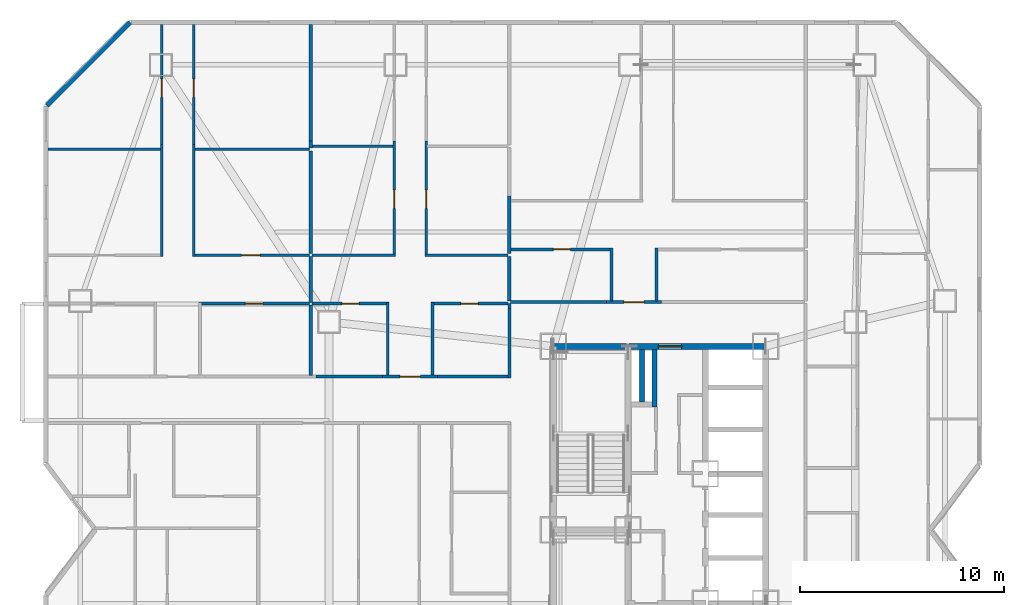
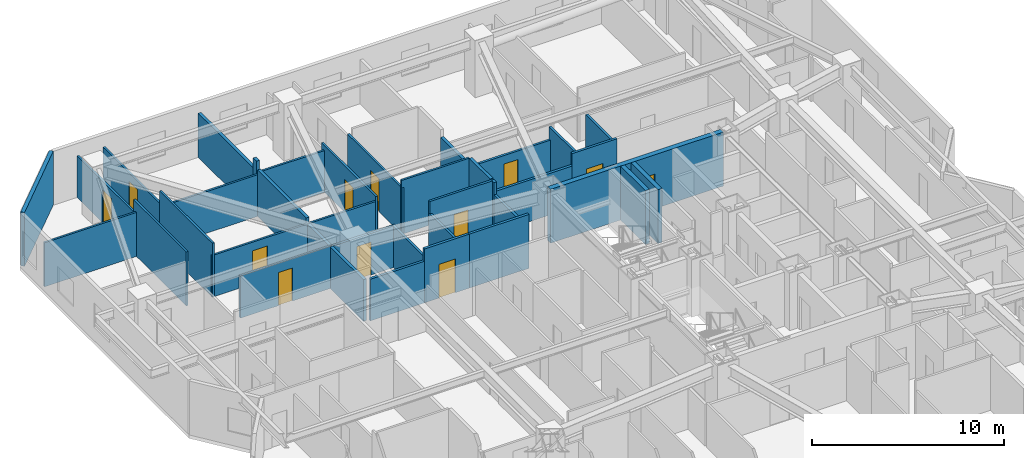
# One storey, part 12 of 17: 38 walls, 12 doors, 12 openings.
"""IFC4 building model written with IfcOpenShell, lengths in metres."""

from ifc_helpers import new_model, si_unit, direction, frame, frame_2d, origin, place, context, subcontext, project, spatial, rectangle, extrude, material, layer, layer_set, type_object, element, fill, save


model = new_model("IFC4")

# Units and contexts
model_context = context("Model", 3, precision=1e-05, world=origin(), true_north=direction((0.0, 1.0)))
body_context = subcontext(model_context, "Body", "Model", "MODEL_VIEW")
ifc_project = project(units=[si_unit("LENGTHUNIT", "METRE"), si_unit("AREAUNIT", "SQUARE_METRE"), si_unit("VOLUMEUNIT", "CUBIC_METRE"), si_unit("PLANEANGLEUNIT", "RADIAN"), si_unit("MASSUNIT", "GRAM", prefix="KILO")], contexts=[model_context])

# Site, building, storey
site_placement = place(None, origin())
site = spatial("IfcSite", under=ifc_project, at=site_placement, CompositionType="ELEMENT")
building_placement = place(site_placement, origin())
building = spatial("IfcBuilding", under=site, at=building_placement, Name="Khamvora Tower", CompositionType="ELEMENT")
storey_placement = place(building_placement, frame((0.0, 0.0, 73.449951171875)))
storey = spatial("IfcBuildingStorey", under=building, at=storey_placement, Name="L18", CompositionType="ELEMENT", Elevation=73.449951171875)

# Wall, opening, door
ifc_material_1 = material(Name="Concrete C50/60", Category="concrete")
ifc_layer_1 = layer(ifc_material_1, 0.300048828125)
ifc_layer_set_1 = layer_set([ifc_layer_1], Name="Concrete C50/60")
wall_type_1 = type_object("IfcWallType", Name="WAL-CORE-300", PredefinedType="SHEAR", material=ifc_layer_set_1)
wall_1_placement = place(storey_placement, frame((29.0, 37.0, 0.0), z_axis=(0.0, 0.0, 1.0), x_axis=(1.0, 0.0, 0.0)))
wall_1 = element("IfcWall", 1, at=wall_1_placement, inside=storey, type_object=wall_type_1, Name="L18 central core north wall", PredefinedType="SHEAR", context=body_context, shape_type="SweptSolid", body=[
    extrude(rectangle(XDim=10.39990234375, YDim=0.300048828125, at=frame_2d((5.199951171875, 0.0))), origin(), (0.0, 0.0, 1.0), 3.429931640625),
])
opening_1_placement = place(wall_1_placement, frame((5.139892578125, 0.0, 0.0)))
opening_1 = element("IfcOpeningElement", 2, at=opening_1_placement, cuts=wall_1, Name="Opening D-SC1", PredefinedType="OPENING", context=body_context, shape_type="SweptSolid", body=[
    extrude(rectangle(XDim=1.14990234375, YDim=2.199951171875, at=frame_2d((0.574951171875, 1.10009765625))), frame((0.0, 0.159912109375, 0.0), z_axis=(0.0, -1.0, 0.0), x_axis=(1.0, 0.0, 0.0)), (0.0, 0.0, 1.0), 0.320068359375),
])
ifc_material_2 = material(Name="Powder-Coated Steel and Hardwood Leaf", Category="steel")
door_type_1 = type_object("IfcDoorType", Name="DOR-SCHL-1150", OperationType="NOTDEFINED", PredefinedType="DOOR", material=ifc_material_2)
door_1_placement = place(opening_1_placement, origin())
door_1 = element("IfcDoor", 3, at=door_1_placement, inside=storey, type_object=door_type_1, Name="L18 north core lobby to corridor fire door", OperationType="SINGLE_SWING_LEFT", OverallHeight=2.199951171875, OverallWidth=1.14990234375, PredefinedType="DOOR", context=body_context, shape_type="SweptSolid", body=[
    extrude(rectangle(XDim=1.14990234375, YDim=2.199951171875, at=frame_2d((0.574951171875, 1.10009765625))), frame((0.0, 0.02490234375, 0.0), z_axis=(0.0, -1.0, 0.0), x_axis=(1.0, 0.0, 0.0)), (0.0, 0.0, 1.0), 0.050048828125),
])
fill(opening_1, door_1)

# Wall
ifc_material_3 = material(Name="Fire-Rated Drywall and Steel Stud", Category="steel")
ifc_layer_2 = layer(ifc_material_3, 0.14990234375)
ifc_layer_set_2 = layer_set([ifc_layer_2], Name="Fire-Rated Drywall and Steel Stud")
wall_type_2 = type_object("IfcWallType", Name="WAL-CORR-150", PredefinedType="STANDARD", material=ifc_layer_set_2)
wall_2_placement = place(storey_placement, frame((26.8349609375, 38.845947265625, 0.0), z_axis=(0.0, 0.0, 1.0), x_axis=(0.0, 1.0, 0.0)))
element("IfcWall", 4, at=wall_2_placement, inside=storey, type_object=wall_type_2, Name="L18 interior partition wall 024", PredefinedType="STANDARD", context=body_context, shape_type="SweptSolid", body=[
    extrude(rectangle(XDim=0.254150390625, YDim=0.14990234375, at=frame_2d((0.126953125, 0.0))), origin(), (0.0, 0.0, 1.0), 3.429931640625),
])

# Wall, opening, door
wall_3_placement = place(storey_placement, frame((20.62109375, 35.514892578125, 0.0), z_axis=(0.0, 0.0, 1.0), x_axis=(1.0, 0.0, 0.0)))
wall_3 = element("IfcWall", 5, at=wall_3_placement, inside=storey, type_object=wall_type_2, Name="L18 interior partition wall 025", PredefinedType="STANDARD", context=body_context, shape_type="SweptSolid", body=[
    extrude(rectangle(XDim=2.697998046875, YDim=0.14990234375, at=frame_2d((1.34912109375, 0.0))), origin(), (0.0, 0.0, 1.0), 3.429931640625),
])
opening_2_placement = place(wall_3_placement, frame((0.84912109375, 0.0, 0.0)))
opening_2 = element("IfcOpeningElement", 6, at=opening_2_placement, cuts=wall_3, Name="Opening D-U1", PredefinedType="OPENING", context=body_context, shape_type="SweptSolid", body=[
    extrude(rectangle(XDim=1.0, YDim=2.14990234375, at=frame_2d((0.5, 1.074951171875))), frame((0.0, 0.0849609375, 0.0), z_axis=(0.0, -1.0, 0.0), x_axis=(1.0, 0.0, 0.0)), (0.0, 0.0, 1.0), 0.169921875),
])
door_type_2 = type_object("IfcDoorType", Name="DOR-UNIT-1000", OperationType="NOTDEFINED", PredefinedType="DOOR", material=ifc_material_2)
door_2_placement = place(opening_2_placement, origin())
door_2 = element("IfcDoor", 7, at=door_2_placement, inside=storey, type_object=door_type_2, Name="L18 interior door COR-18WCH", OperationType="SINGLE_SWING_RIGHT", OverallHeight=2.14990234375, OverallWidth=1.0, PredefinedType="DOOR", context=body_context, shape_type="SweptSolid", body=[
    extrude(rectangle(XDim=1.0, YDim=2.14990234375, at=frame_2d((0.5, 1.074951171875))), frame((0.0, 0.02490234375, 0.0), z_axis=(0.0, -1.0, 0.0), x_axis=(1.0, 0.0, 0.0)), (0.0, 0.0, 1.0), 0.050048828125),
])
fill(opening_2, door_2)

# Walls
wall_4_placement = place(storey_placement, frame((17.35400390625, 35.514892578125, 0.0), z_axis=(0.0, 0.0, 1.0), x_axis=(1.0, 0.0, 0.0)))
element("IfcWall", 8, at=wall_4_placement, inside=storey, type_object=wall_type_2, Name="L18 interior partition wall 026", PredefinedType="STANDARD", context=body_context, shape_type="SweptSolid", body=[
    extrude(rectangle(XDim=3.26708984375, YDim=0.14990234375, at=frame_2d((1.633544921875, 0.0))), origin(), (0.0, 0.0, 1.0), 2.64697265625),
])
wall_5_placement = place(storey_placement, frame((26.8349609375, 35.449951171875, 0.0), z_axis=(0.0, 0.0, 1.0), x_axis=(0.0, 1.0, 0.0)))
element("IfcWall", 9, at=wall_5_placement, inside=storey, type_object=wall_type_2, Name="L18 interior partition wall 027", PredefinedType="STANDARD", context=body_context, shape_type="SweptSolid", body=[
    extrude(rectangle(XDim=3.39599609375, YDim=0.14990234375, at=frame_2d((1.697998046875, 0.0))), origin(), (0.0, 0.0, 1.0), 2.64697265625),
])
wall_6_placement = place(storey_placement, frame((23.319091796875, 35.514892578125, 0.0), z_axis=(0.0, 0.0, 1.0), x_axis=(1.0, 0.0, 0.0)))
element("IfcWall", 10, at=wall_6_placement, inside=storey, type_object=wall_type_2, Name="L18 interior partition wall 028", PredefinedType="STANDARD", context=body_context, shape_type="SweptSolid", body=[
    extrude(rectangle(XDim=3.578857421875, YDim=0.14990234375, at=frame_2d((1.78955078125, 0.0))), origin(), (0.0, 0.0, 1.0), 3.429931640625),
])

# Wall, opening, door
wall_7_placement = place(storey_placement, frame((31.60107421875, 39.1650390625, 0.0), z_axis=(0.0, 0.0, 1.0), x_axis=(1.0, 0.0, 0.0)))
wall_7 = element("IfcWall", 11, at=wall_7_placement, inside=storey, type_object=wall_type_2, Name="L18 interior partition wall 032", PredefinedType="STANDARD", context=body_context, shape_type="SweptSolid", body=[
    extrude(rectangle(XDim=2.697998046875, YDim=0.14990234375, at=frame_2d((1.34912109375, 0.0))), origin(), (0.0, 0.0, 1.0), 3.429931640625),
])
opening_3_placement = place(wall_7_placement, frame((0.84912109375, 0.0, 0.0)))
opening_3 = element("IfcOpeningElement", 12, at=opening_3_placement, cuts=wall_7, Name="Opening D-U1", PredefinedType="OPENING", context=body_context, shape_type="SweptSolid", body=[
    extrude(rectangle(XDim=1.0, YDim=2.14990234375, at=frame_2d((0.5, 1.074951171875))), frame((0.0, 0.0849609375, 0.0), z_axis=(0.0, -1.0, 0.0), x_axis=(1.0, 0.0, 0.0)), (0.0, 0.0, 1.0), 0.169921875),
])
door_3_placement = place(opening_3_placement, origin())
door_3 = element("IfcDoor", 13, at=door_3_placement, inside=storey, type_object=door_type_2, Name="L18 interior door COR-18NAH", OperationType="SINGLE_SWING_RIGHT", OverallHeight=2.14990234375, OverallWidth=1.0, PredefinedType="DOOR", context=body_context, shape_type="SweptSolid", body=[
    extrude(rectangle(XDim=1.0, YDim=2.14990234375, at=frame_2d((0.5, 1.074951171875))), frame((0.0, 0.02490234375, 0.0), z_axis=(0.0, -1.0, 0.0), x_axis=(1.0, 0.0, 0.0)), (0.0, 0.0, 1.0), 0.050048828125),
])
fill(opening_3, door_3)

# Walls
wall_8_placement = place(storey_placement, frame((26.89990234375, 39.1650390625, 0.0), z_axis=(0.0, 0.0, 1.0), x_axis=(1.0, 0.0, 0.0)))
element("IfcWall", 14, at=wall_8_placement, inside=storey, type_object=wall_type_2, Name="L18 interior partition wall 033", PredefinedType="STANDARD", context=body_context, shape_type="SweptSolid", body=[
    extrude(rectangle(XDim=4.701171875, YDim=0.14990234375, at=frame_2d((2.3505859375, 0.0))), origin(), (0.0, 0.0, 1.0), 2.64697265625),
])
ifc_material_4 = material(Name="Acoustic Double-Stud Fire Wall", Category="gypsum")
ifc_layer_3 = layer(ifc_material_4, 0.179931640625)
ifc_layer_set_3 = layer_set([ifc_layer_3], Name="Acoustic Double-Stud Fire Wall")
wall_type_3 = type_object("IfcWallType", Name="WAL-CORR-180", PredefinedType="STANDARD", material=ifc_layer_set_3)
wall_9_placement = place(storey_placement, frame((17.10498046875, 41.409912109375, 0.0), z_axis=(0.0, 0.0, 1.0), x_axis=(0.0, -1.0, 0.0)))
element("IfcWall", 15, at=wall_9_placement, inside=storey, type_object=wall_type_3, Name="L18 interior partition wall 104", PredefinedType="STANDARD", context=body_context, shape_type="SweptSolid", body=[
    extrude(rectangle(XDim=2.25, YDim=0.179931640625, at=frame_2d((1.125, 0.0))), origin(), (0.0, 0.0, 1.0), 2.64697265625),
])
wall_10_placement = place(storey_placement, frame((17.10498046875, 39.030029296875, 0.0), z_axis=(0.0, 0.0, 1.0), x_axis=(0.0, -1.0, 0.0)))
element("IfcWall", 16, at=wall_10_placement, inside=storey, type_object=wall_type_3, Name="L18 interior partition wall 105", PredefinedType="STANDARD", context=body_context, shape_type="SweptSolid", body=[
    extrude(rectangle(XDim=3.447998046875, YDim=0.179931640625, at=frame_2d((1.72412109375, 0.0))), origin(), (0.0, 0.0, 1.0), 2.64697265625),
])
wall_11_placement = place(storey_placement, frame((17.10498046875, 46.587890625, 0.0), z_axis=(0.0, 0.0, 1.0), x_axis=(0.0, -1.0, 0.0)))
element("IfcWall", 17, at=wall_11_placement, inside=storey, type_object=wall_type_3, Name="L18 interior partition wall 108", PredefinedType="STANDARD", context=body_context, shape_type="SweptSolid", body=[
    extrude(rectangle(XDim=5.0478515625, YDim=0.179931640625, at=frame_2d((2.52392578125, 0.0))), origin(), (0.0, 0.0, 1.0), 2.95703125),
])
wall_12_placement = place(storey_placement, frame((17.10498046875, 47.06103515625, 0.0), z_axis=(0.0, 0.0, 1.0), x_axis=(0.0, -1.0, 0.0)))
element("IfcWall", 18, at=wall_12_placement, inside=storey, type_object=wall_type_3, Name="L18 interior partition wall 109", PredefinedType="STANDARD", context=body_context, shape_type="SweptSolid", body=[
    extrude(rectangle(XDim=0.343017578125, YDim=0.179931640625, at=frame_2d((0.17138671875, 0.0))), origin(), (0.0, 0.0, 1.0), 3.429931640625),
])
wall_13_placement = place(storey_placement, frame((17.10498046875, 52.7880859375, 0.0), z_axis=(0.0, 0.0, 1.0), x_axis=(0.0, -1.0, 0.0)))
element("IfcWall", 19, at=wall_13_placement, inside=storey, type_object=wall_type_3, Name="L18 interior partition wall 110", PredefinedType="STANDARD", context=body_context, shape_type="SweptSolid", body=[
    extrude(rectangle(XDim=5.72705078125, YDim=0.179931640625, at=frame_2d((2.863525390625, 0.0))), origin(), (0.0, 0.0, 1.0), 2.802978515625),
])
wall_14_placement = place(storey_placement, frame((26.8349609375, 41.409912109375, 0.0), z_axis=(0.0, 0.0, 1.0), x_axis=(0.0, -1.0, 0.0)))
element("IfcWall", 20, at=wall_14_placement, inside=storey, type_object=wall_type_3, Name="L18 interior partition wall 121", PredefinedType="STANDARD", context=body_context, shape_type="SweptSolid", body=[
    extrude(rectangle(XDim=2.179931640625, YDim=0.179931640625, at=frame_2d((1.08984375, 0.0))), origin(), (0.0, 0.0, 1.0), 3.429931640625),
])
wall_15_placement = place(storey_placement, frame((26.8349609375, 44.383056640625, 0.0), z_axis=(0.0, 0.0, 1.0), x_axis=(0.0, -1.0, 0.0)))
element("IfcWall", 21, at=wall_15_placement, inside=storey, type_object=wall_type_3, Name="L18 interior partition wall 124", PredefinedType="STANDARD", context=body_context, shape_type="SweptSolid", body=[
    extrude(rectangle(XDim=2.843017578125, YDim=0.179931640625, at=frame_2d((1.42138671875, 0.0))), origin(), (0.0, 0.0, 1.0), 2.95703125),
])
ifc_material_5 = material(Name="Precast concrete C40/50", Category="concrete")
ifc_layer_4 = layer(ifc_material_5, 0.219970703125)
ifc_layer_set_4 = layer_set([ifc_layer_4], Name="Precast concrete C40/50")
wall_type_4 = type_object("IfcWallType", Name="WAL-EXT-220", PredefinedType="STANDARD", material=ifc_layer_set_4)
wall_16_placement = place(storey_placement, frame((4.157958984375, 48.802001953125, 0.0), z_axis=(0.0, 0.0, 1.0), x_axis=(0.70712789547, 0.707085666273, 0.0)))
element("IfcWall", 22, at=wall_16_placement, inside=storey, type_object=wall_type_4, Name="L18 exterior facade wall 06.1", PredefinedType="STANDARD", context=body_context, shape_type="SweptSolid", body=[
    extrude(rectangle(XDim=5.78125, YDim=0.219970703125, at=frame_2d((2.890625, 0.0))), origin(), (0.0, 0.0, 1.0), 3.429931640625),
])
ifc_material_6 = material(Name="Gypsum Plasterboard Partition", Category="gypsum")
ifc_layer_5 = layer(ifc_material_6, 0.1201171875)
ifc_layer_set_5 = layer_set([ifc_layer_5], Name="Gypsum Plasterboard Partition")
wall_type_5 = type_object("IfcWallType", Name="WAL-PART-120", PredefinedType="PARTITIONING", material=ifc_layer_set_5)
wall_17_placement = place(storey_placement, frame((9.7900390625, 41.409912109375, 0.0), z_axis=(0.0, 0.0, 1.0), x_axis=(0.0, 1.0, 0.0)))
element("IfcWall", 23, at=wall_17_placement, inside=storey, type_object=wall_type_5, Name="L18 interior partition wall 099", PredefinedType="PARTITIONING", context=body_context, shape_type="SweptSolid", body=[
    extrude(rectangle(XDim=5.4921875, YDim=0.1201171875, at=frame_2d((2.74609375, 0.0))), origin(), (0.0, 0.0, 1.0), 3.429931640625),
])

# Wall, opening, door
wall_18_placement = place(storey_placement, frame((9.7900390625, 46.902099609375, 0.0), z_axis=(0.0, 0.0, 1.0), x_axis=(0.0, 1.0, 0.0)))
wall_18 = element("IfcWall", 24, at=wall_18_placement, inside=storey, type_object=wall_type_5, Name="L18 interior partition wall 100", PredefinedType="PARTITIONING", context=body_context, shape_type="SweptSolid", body=[
    extrude(rectangle(XDim=5.885986328125, YDim=0.1201171875, at=frame_2d((2.94287109375, 0.0))), origin(), (0.0, 0.0, 1.0), 2.64697265625),
])
opening_4_placement = place(wall_18_placement, frame((2.305908203125, 0.0, 0.0)))
opening_4 = element("IfcOpeningElement", 25, at=opening_4_placement, cuts=wall_18, Name="Opening D-RM1", PredefinedType="OPENING", context=body_context, shape_type="SweptSolid", body=[
    extrude(rectangle(XDim=0.89990234375, YDim=2.10009765625, at=frame_2d((0.449951171875, 1.050048828125))), frame((0.0, 0.070068359375, 0.0), z_axis=(0.0, -1.0, 0.0), x_axis=(1.0, 0.0, 0.0)), (0.0, 0.0, 1.0), 0.14013671875),
])
door_type_3 = type_object("IfcDoorType", Name="DOR-ROOM-900", OperationType="NOTDEFINED", PredefinedType="DOOR", material=ifc_material_2)
door_4_placement = place(opening_4_placement, origin())
door_4 = element("IfcDoor", 26, at=door_4_placement, inside=storey, type_object=door_type_3, Name="L18 interior door 18WBH-18WBR2", OperationType="SINGLE_SWING_LEFT", OverallHeight=2.10009765625, OverallWidth=0.89990234375, PredefinedType="DOOR", context=body_context, shape_type="SweptSolid", body=[
    extrude(rectangle(XDim=0.89990234375, YDim=2.10009765625, at=frame_2d((0.449951171875, 1.050048828125))), frame((0.0, 0.02490234375, 0.0), z_axis=(0.0, -1.0, 0.0), x_axis=(1.0, 0.0, 0.0)), (0.0, 0.0, 1.0), 0.050048828125),
])
fill(opening_4, door_4)

# Wall
wall_19_placement = place(storey_placement, frame((11.360107421875, 46.902099609375, 0.0), z_axis=(0.0, 0.0, 1.0), x_axis=(0.0, -1.0, 0.0)))
element("IfcWall", 27, at=wall_19_placement, inside=storey, type_object=wall_type_5, Name="L18 interior partition wall 101", PredefinedType="PARTITIONING", context=body_context, shape_type="SweptSolid", body=[
    extrude(rectangle(XDim=5.4921875, YDim=0.1201171875, at=frame_2d((2.74609375, 0.0))), origin(), (0.0, 0.0, 1.0), 3.429931640625),
])

# Wall, opening, door
wall_20_placement = place(storey_placement, frame((11.294921875, 41.47509765625, 0.0), z_axis=(0.0, 0.0, 1.0), x_axis=(1.0, 0.0, 0.0)))
wall_20 = element("IfcWall", 28, at=wall_20_placement, inside=storey, type_object=wall_type_5, Name="L18 interior partition wall 102", PredefinedType="PARTITIONING", context=body_context, shape_type="SweptSolid", body=[
    extrude(rectangle(XDim=5.7451171875, YDim=0.1201171875, at=frame_2d((2.87255859375, 0.0))), origin(), (0.0, 0.0, 1.0), 2.64697265625),
])
opening_5_placement = place(wall_20_placement, frame((2.422119140625, 0.0, 0.0)))
opening_5 = element("IfcOpeningElement", 29, at=opening_5_placement, cuts=wall_20, Name="Opening D-RM1", PredefinedType="OPENING", context=body_context, shape_type="SweptSolid", body=[
    extrude(rectangle(XDim=0.89990234375, YDim=2.10009765625, at=frame_2d((0.449951171875, 1.050048828125))), frame((0.0, 0.070068359375, 0.0), z_axis=(0.0, -1.0, 0.0), x_axis=(1.0, 0.0, 0.0)), (0.0, 0.0, 1.0), 0.14013671875),
])
door_5_placement = place(opening_5_placement, origin())
door_5 = element("IfcDoor", 30, at=door_5_placement, inside=storey, type_object=door_type_3, Name="L18 interior door 18WBH-18WBR3", OperationType="SINGLE_SWING_RIGHT", OverallHeight=2.10009765625, OverallWidth=0.89990234375, PredefinedType="DOOR", context=body_context, shape_type="SweptSolid", body=[
    extrude(rectangle(XDim=0.89990234375, YDim=2.10009765625, at=frame_2d((0.449951171875, 1.050048828125))), frame((0.0, 0.02490234375, 0.0), z_axis=(0.0, -1.0, 0.0), x_axis=(1.0, 0.0, 0.0)), (0.0, 0.0, 1.0), 0.050048828125),
])
fill(opening_5, door_5)

wall_21_placement = place(storey_placement, frame((11.360107421875, 52.7880859375, 0.0), z_axis=(0.0, 0.0, 1.0), x_axis=(0.0, -1.0, 0.0)))
wall_21 = element("IfcWall", 31, at=wall_21_placement, inside=storey, type_object=wall_type_5, Name="L18 interior partition wall 103", PredefinedType="PARTITIONING", context=body_context, shape_type="SweptSolid", body=[
    extrude(rectangle(XDim=5.885986328125, YDim=0.1201171875, at=frame_2d((2.94287109375, 0.0))), origin(), (0.0, 0.0, 1.0), 2.64697265625),
])
opening_6_placement = place(wall_21_placement, frame((2.679931640625, 0.0, 0.0)))
opening_6 = element("IfcOpeningElement", 32, at=opening_6_placement, cuts=wall_21, Name="Opening D-RM1", PredefinedType="OPENING", context=body_context, shape_type="SweptSolid", body=[
    extrude(rectangle(XDim=0.89990234375, YDim=2.10009765625, at=frame_2d((0.449951171875, 1.050048828125))), frame((0.0, 0.070068359375, 0.0), z_axis=(0.0, -1.0, 0.0), x_axis=(1.0, 0.0, 0.0)), (0.0, 0.0, 1.0), 0.14013671875),
])
door_6_placement = place(opening_6_placement, origin())
door_6 = element("IfcDoor", 33, at=door_6_placement, inside=storey, type_object=door_type_3, Name="L18 interior door 18WBH-18WBR4", OperationType="SINGLE_SWING_LEFT", OverallHeight=2.10009765625, OverallWidth=0.89990234375, PredefinedType="DOOR", context=body_context, shape_type="SweptSolid", body=[
    extrude(rectangle(XDim=0.89990234375, YDim=2.10009765625, at=frame_2d((0.449951171875, 1.050048828125))), frame((0.0, 0.02490234375, 0.0), z_axis=(0.0, -1.0, 0.0), x_axis=(1.0, 0.0, 0.0)), (0.0, 0.0, 1.0), 0.050048828125),
])
fill(opening_6, door_6)

# Walls
wall_22_placement = place(storey_placement, frame((4.2119140625, 46.653076171875, 0.0), z_axis=(0.0, 0.0, 1.0), x_axis=(1.0, 0.0, 0.0)))
element("IfcWall", 34, at=wall_22_placement, inside=storey, type_object=wall_type_5, Name="L18 interior partition wall 106", PredefinedType="PARTITIONING", context=body_context, shape_type="SweptSolid", body=[
    extrude(rectangle(XDim=5.524169921875, YDim=0.1201171875, at=frame_2d((2.76220703125, 0.0))), origin(), (0.0, 0.0, 1.0), 2.802978515625),
])
wall_23_placement = place(storey_placement, frame((11.4140625, 46.653076171875, 0.0), z_axis=(0.0, 0.0, 1.0), x_axis=(1.0, 0.0, 0.0)))
element("IfcWall", 35, at=wall_23_placement, inside=storey, type_object=wall_type_5, Name="L18 interior partition wall 107", PredefinedType="PARTITIONING", context=body_context, shape_type="SweptSolid", body=[
    extrude(rectangle(XDim=5.6259765625, YDim=0.1201171875, at=frame_2d((2.81298828125, 0.0))), origin(), (0.0, 0.0, 1.0), 2.64697265625),
])
wall_24_placement = place(storey_placement, frame((17.169921875, 41.47509765625, 0.0), z_axis=(0.0, 0.0, 1.0), x_axis=(1.0, 0.0, 0.0)))
element("IfcWall", 36, at=wall_24_placement, inside=storey, type_object=wall_type_5, Name="L18 interior partition wall 115", PredefinedType="PARTITIONING", context=body_context, shape_type="SweptSolid", body=[
    extrude(rectangle(XDim=4.080078125, YDim=0.1201171875, at=frame_2d((2.0400390625, 0.0))), origin(), (0.0, 0.0, 1.0), 2.64697265625),
])

# Wall, opening, door
wall_25_placement = place(storey_placement, frame((21.18505859375, 41.409912109375, 0.0), z_axis=(0.0, 0.0, 1.0), x_axis=(0.0, 1.0, 0.0)))
wall_25 = element("IfcWall", 37, at=wall_25_placement, inside=storey, type_object=wall_type_5, Name="L18 interior partition wall 116", PredefinedType="PARTITIONING", context=body_context, shape_type="SweptSolid", body=[
    extrude(rectangle(XDim=5.651123046875, YDim=0.1201171875, at=frame_2d((2.82568359375, 0.0))), origin(), (0.0, 0.0, 1.0), 2.95703125),
])
opening_7_placement = place(wall_25_placement, frame((2.35400390625, 0.0, 0.0)))
opening_7 = element("IfcOpeningElement", 38, at=opening_7_placement, cuts=wall_25, Name="Opening D-RM1", PredefinedType="OPENING", context=body_context, shape_type="SweptSolid", body=[
    extrude(rectangle(XDim=0.89990234375, YDim=2.10009765625, at=frame_2d((0.449951171875, 1.050048828125))), frame((0.0, 0.070068359375, 0.0), z_axis=(0.0, -1.0, 0.0), x_axis=(1.0, 0.0, 0.0)), (0.0, 0.0, 1.0), 0.14013671875),
])
door_7_placement = place(opening_7_placement, origin())
door_7 = element("IfcDoor", 39, at=door_7_placement, inside=storey, type_object=door_type_3, Name="L18 interior door 18WCH-18WCL", OperationType="SINGLE_SWING_RIGHT", OverallHeight=2.10009765625, OverallWidth=0.89990234375, PredefinedType="DOOR", context=body_context, shape_type="SweptSolid", body=[
    extrude(rectangle(XDim=0.89990234375, YDim=2.10009765625, at=frame_2d((0.449951171875, 1.050048828125))), frame((0.0, 0.02490234375, 0.0), z_axis=(0.0, -1.0, 0.0), x_axis=(1.0, 0.0, 0.0)), (0.0, 0.0, 1.0), 0.050048828125),
])
fill(opening_7, door_7)

wall_26_placement = place(storey_placement, frame((22.7548828125, 47.06103515625, 0.0), z_axis=(0.0, 0.0, 1.0), x_axis=(0.0, -1.0, 0.0)))
wall_26 = element("IfcWall", 40, at=wall_26_placement, inside=storey, type_object=wall_type_5, Name="L18 interior partition wall 118", PredefinedType="PARTITIONING", context=body_context, shape_type="SweptSolid", body=[
    extrude(rectangle(XDim=5.651123046875, YDim=0.1201171875, at=frame_2d((2.82568359375, 0.0))), origin(), (0.0, 0.0, 1.0), 2.95703125),
])
opening_8_placement = place(wall_26_placement, frame((2.39599609375, 0.0, 0.0)))
opening_8 = element("IfcOpeningElement", 41, at=opening_8_placement, cuts=wall_26, Name="Opening D-RM1", PredefinedType="OPENING", context=body_context, shape_type="SweptSolid", body=[
    extrude(rectangle(XDim=0.89990234375, YDim=2.10009765625, at=frame_2d((0.449951171875, 1.050048828125))), frame((0.0, 0.070068359375, 0.0), z_axis=(0.0, -1.0, 0.0), x_axis=(1.0, 0.0, 0.0)), (0.0, 0.0, 1.0), 0.14013671875),
])
door_8_placement = place(opening_8_placement, origin())
door_8 = element("IfcDoor", 42, at=door_8_placement, inside=storey, type_object=door_type_3, Name="L18 interior door 18WCH-18WCR3", OperationType="SINGLE_SWING_LEFT", OverallHeight=2.10009765625, OverallWidth=0.89990234375, PredefinedType="DOOR", context=body_context, shape_type="SweptSolid", body=[
    extrude(rectangle(XDim=0.89990234375, YDim=2.10009765625, at=frame_2d((0.449951171875, 1.050048828125))), frame((0.0, 0.02490234375, 0.0), z_axis=(0.0, -1.0, 0.0), x_axis=(1.0, 0.0, 0.0)), (0.0, 0.0, 1.0), 0.050048828125),
])
fill(opening_8, door_8)

# Walls
wall_27_placement = place(storey_placement, frame((22.68994140625, 41.47509765625, 0.0), z_axis=(0.0, 0.0, 1.0), x_axis=(1.0, 0.0, 0.0)))
element("IfcWall", 43, at=wall_27_placement, inside=storey, type_object=wall_type_5, Name="L18 interior partition wall 119", PredefinedType="PARTITIONING", context=body_context, shape_type="SweptSolid", body=[
    extrude(rectangle(XDim=4.080078125, YDim=0.1201171875, at=frame_2d((2.0400390625, 0.0))), origin(), (0.0, 0.0, 1.0), 3.429931640625),
])
wall_28_placement = place(storey_placement, frame((17.18701171875, 46.81201171875, 0.0), z_axis=(0.0, 0.0, 1.0), x_axis=(1.0, 0.0, 0.0)))
element("IfcWall", 44, at=wall_28_placement, inside=storey, type_object=wall_type_5, Name="L18 interior partition wall 122", PredefinedType="PARTITIONING", context=body_context, shape_type="SweptSolid", body=[
    extrude(rectangle(XDim=3.944091796875, YDim=0.1201171875, at=frame_2d((1.97216796875, 0.0))), origin(), (0.0, 0.0, 1.0), 2.64697265625),
])
ifc_material_7 = material(Name="Concrete C40/50", Category="concrete")
ifc_layer_6 = layer(ifc_material_7, 0.25)
ifc_layer_set_6 = layer_set([ifc_layer_6], Name="Concrete C40/50")
wall_type_6 = type_object("IfcWallType", Name="WAL-PODS-250", PredefinedType="SHEAR", material=ifc_layer_set_6)
wall_29_placement = place(storey_placement, frame((33.955078125, 34.02490234375, 0.0), z_axis=(0.0, 0.0, 1.0), x_axis=(0.0, 1.0, 0.0)))
element("IfcWall", 45, at=wall_29_placement, inside=storey, type_object=wall_type_6, Name="L18 vertical MEP riser shaft east enclosure wall", PredefinedType="SHEAR", context=body_context, shape_type="SweptSolid", body=[
    extrude(rectangle(XDim=2.821044921875, YDim=0.25, at=frame_2d((1.41064453125, 0.0))), origin(), (0.0, 0.0, 1.0), 3.429931640625),
])
wall_30_placement = place(storey_placement, frame((33.340087890625, 34.279052734375, 0.0), z_axis=(0.0, 0.0, 1.0), x_axis=(0.0, 1.0, 0.0)))
element("IfcWall", 46, at=wall_30_placement, inside=storey, type_object=wall_type_6, Name="L18 vertical MEP riser shaft divider enclosure wall", PredefinedType="SHEAR", context=body_context, shape_type="SweptSolid", body=[
    extrude(rectangle(XDim=2.56689453125, YDim=0.25, at=frame_2d((1.283447265625, 0.0))), origin(), (0.0, 0.0, 1.0), 3.429931640625),
])

# Wall, opening, door
ifc_material_8 = material(Name="Moisture-Resistant Plasterboard Partition", Category="gypsum")
ifc_layer_7 = layer(ifc_material_8, 0.135009765625)
ifc_layer_set_7 = layer_set([ifc_layer_7], Name="Moisture-Resistant Plasterboard Partition")
wall_type_7 = type_object("IfcWallType", Name="WAL-WET-135", PredefinedType="PARTITIONING", material=ifc_layer_set_7)
wall_31_placement = place(storey_placement, frame((17.0400390625, 39.094970703125, 0.0), z_axis=(0.0, 0.0, 1.0), x_axis=(-1.0, 0.0, 0.0)))
wall_31 = element("IfcWall", 47, at=wall_31_placement, inside=storey, type_object=wall_type_7, Name="L18 interior partition wall 096", PredefinedType="PARTITIONING", context=body_context, shape_type="SweptSolid", body=[
    extrude(rectangle(XDim=5.429931640625, YDim=0.135009765625, at=frame_2d((2.71484375, 0.0))), origin(), (0.0, 0.0, 1.0), 2.68701171875),
])
opening_9_placement = place(wall_31_placement, frame((2.2900390625, 0.0, 0.0)))
opening_9 = element("IfcOpeningElement", 48, at=opening_9_placement, cuts=wall_31, Name="Opening D-RM2", PredefinedType="OPENING", context=body_context, shape_type="SweptSolid", body=[
    extrude(rectangle(XDim=0.85009765625, YDim=2.10009765625, at=frame_2d((0.425048828125, 1.050048828125))), frame((0.0, 0.077392578125, 0.0), z_axis=(0.0, -1.0, 0.0), x_axis=(1.0, 0.0, 0.0)), (0.0, 0.0, 1.0), 0.155029296875),
])
door_type_4 = type_object("IfcDoorType", Name="DOR-ROOM-850", OperationType="NOTDEFINED", PredefinedType="DOOR", material=ifc_material_2)
door_9_placement = place(opening_9_placement, origin())
door_9 = element("IfcDoor", 49, at=door_9_placement, inside=storey, type_object=door_type_4, Name="L18 interior door 18WBH-18WBK", OperationType="SINGLE_SWING_RIGHT", OverallHeight=2.10009765625, OverallWidth=0.85009765625, PredefinedType="DOOR", context=body_context, shape_type="SweptSolid", body=[
    extrude(rectangle(XDim=0.85009765625, YDim=2.10009765625, at=frame_2d((0.425048828125, 1.050048828125))), frame((0.0, 0.02490234375, 0.0), z_axis=(0.0, -1.0, 0.0), x_axis=(1.0, 0.0, 0.0)), (0.0, 0.0, 1.0), 0.050048828125),
])
fill(opening_9, door_9)

# Wall
wall_32_placement = place(storey_placement, frame((20.8701171875, 35.58203125, 0.0), z_axis=(0.0, 0.0, 1.0), x_axis=(0.0, 1.0, 0.0)))
element("IfcWall", 50, at=wall_32_placement, inside=storey, type_object=wall_type_7, Name="L18 interior partition wall 111", PredefinedType="PARTITIONING", context=body_context, shape_type="SweptSolid", body=[
    extrude(rectangle(XDim=3.577880859375, YDim=0.135009765625, at=frame_2d((1.7890625, 0.0))), origin(), (0.0, 0.0, 1.0), 2.64697265625),
])

# Wall, opening, door
wall_33_placement = place(storey_placement, frame((20.93505859375, 39.094970703125, 0.0), z_axis=(0.0, 0.0, 1.0), x_axis=(-1.0, 0.0, 0.0)))
wall_33 = element("IfcWall", 51, at=wall_33_placement, inside=storey, type_object=wall_type_7, Name="L18 interior partition wall 112", PredefinedType="PARTITIONING", context=body_context, shape_type="SweptSolid", body=[
    extrude(rectangle(XDim=3.76513671875, YDim=0.135009765625, at=frame_2d((1.882568359375, 0.0))), origin(), (0.0, 0.0, 1.0), 2.64697265625),
])
opening_10_placement = place(wall_33_placement, frame((1.4580078125, 0.0, 0.0)))
opening_10 = element("IfcOpeningElement", 52, at=opening_10_placement, cuts=wall_33, Name="Opening D-WC1", PredefinedType="OPENING", context=body_context, shape_type="SweptSolid", body=[
    extrude(rectangle(XDim=0.85009765625, YDim=2.10009765625, at=frame_2d((0.425048828125, 1.050048828125))), frame((0.0, 0.077392578125, 0.0), z_axis=(0.0, -1.0, 0.0), x_axis=(1.0, 0.0, 0.0)), (0.0, 0.0, 1.0), 0.155029296875),
])
door_type_5 = type_object("IfcDoorType", Name="DOR-WET-850", OperationType="NOTDEFINED", PredefinedType="DOOR", material=ifc_material_2)
door_10_placement = place(opening_10_placement, origin())
door_10 = element("IfcDoor", 53, at=door_10_placement, inside=storey, type_object=door_type_5, Name="L18 interior door 18WCH-18WCB", OperationType="SINGLE_SWING_LEFT", OverallHeight=2.10009765625, OverallWidth=0.85009765625, PredefinedType="DOOR", context=body_context, shape_type="SweptSolid", body=[
    extrude(rectangle(XDim=0.85009765625, YDim=2.10009765625, at=frame_2d((0.425048828125, 1.050048828125))), frame((0.0, 0.02490234375, 0.0), z_axis=(0.0, -1.0, 0.0), x_axis=(1.0, 0.0, 0.0)), (0.0, 0.0, 1.0), 0.050048828125),
])
fill(opening_10, door_10)

# Wall
wall_34_placement = place(storey_placement, frame((23.070068359375, 39.159912109375, 0.0), z_axis=(0.0, 0.0, 1.0), x_axis=(0.0, -1.0, 0.0)))
element("IfcWall", 54, at=wall_34_placement, inside=storey, type_object=wall_type_7, Name="L18 interior partition wall 113", PredefinedType="PARTITIONING", context=body_context, shape_type="SweptSolid", body=[
    extrude(rectangle(XDim=3.577880859375, YDim=0.135009765625, at=frame_2d((1.7890625, 0.0))), origin(), (0.0, 0.0, 1.0), 2.64697265625),
])

# Wall, opening, door
wall_35_placement = place(storey_placement, frame((26.77001953125, 39.094970703125, 0.0), z_axis=(0.0, 0.0, 1.0), x_axis=(-1.0, 0.0, 0.0)))
wall_35 = element("IfcWall", 55, at=wall_35_placement, inside=storey, type_object=wall_type_7, Name="L18 interior partition wall 114", PredefinedType="PARTITIONING", context=body_context, shape_type="SweptSolid", body=[
    extrude(rectangle(XDim=3.76513671875, YDim=0.135009765625, at=frame_2d((1.882568359375, 0.0))), origin(), (0.0, 0.0, 1.0), 3.429931640625),
])
opening_11_placement = place(wall_35_placement, frame((1.4580078125, 0.0, 0.0)))
opening_11 = element("IfcOpeningElement", 56, at=opening_11_placement, cuts=wall_35, Name="Opening D-RM2", PredefinedType="OPENING", context=body_context, shape_type="SweptSolid", body=[
    extrude(rectangle(XDim=0.85009765625, YDim=2.10009765625, at=frame_2d((0.425048828125, 1.050048828125))), frame((0.0, 0.077392578125, 0.0), z_axis=(0.0, -1.0, 0.0), x_axis=(1.0, 0.0, 0.0)), (0.0, 0.0, 1.0), 0.155029296875),
])
door_11_placement = place(opening_11_placement, origin())
door_11 = element("IfcDoor", 57, at=door_11_placement, inside=storey, type_object=door_type_4, Name="L18 interior door 18WCH-18WCK", OperationType="SINGLE_SWING_LEFT", OverallHeight=2.10009765625, OverallWidth=0.85009765625, PredefinedType="DOOR", context=body_context, shape_type="SweptSolid", body=[
    extrude(rectangle(XDim=0.85009765625, YDim=2.10009765625, at=frame_2d((0.425048828125, 1.050048828125))), frame((0.0, 0.02490234375, 0.0), z_axis=(0.0, -1.0, 0.0), x_axis=(1.0, 0.0, 0.0)), (0.0, 0.0, 1.0), 0.050048828125),
])
fill(opening_11, door_11)

# Wall
wall_36_placement = place(storey_placement, frame((31.85009765625, 39.23193359375, 0.0), z_axis=(0.0, 0.0, 1.0), x_axis=(0.0, 1.0, 0.0)))
element("IfcWall", 58, at=wall_36_placement, inside=storey, type_object=wall_type_7, Name="L18 interior partition wall 138", PredefinedType="PARTITIONING", context=body_context, shape_type="SweptSolid", body=[
    extrude(rectangle(XDim=2.587158203125, YDim=0.135009765625, at=frame_2d((1.29345703125, 0.0))), origin(), (0.0, 0.0, 1.0), 3.429931640625),
])

# Wall, opening, door
wall_37_placement = place(storey_placement, frame((31.9150390625, 41.75390625, 0.0), z_axis=(0.0, 0.0, 1.0), x_axis=(-1.0, 0.0, 0.0)))
wall_37 = element("IfcWall", 59, at=wall_37_placement, inside=storey, type_object=wall_type_7, Name="L18 interior partition wall 139", PredefinedType="PARTITIONING", context=body_context, shape_type="SweptSolid", body=[
    extrude(rectangle(XDim=4.998046875, YDim=0.135009765625, at=frame_2d((2.4990234375, 0.0))), origin(), (0.0, 0.0, 1.0), 2.64697265625),
])
opening_12_placement = place(wall_37_placement, frame((2.073974609375, 0.0, 0.0)))
opening_12 = element("IfcOpeningElement", 60, at=opening_12_placement, cuts=wall_37, Name="Opening D-WC1", PredefinedType="OPENING", context=body_context, shape_type="SweptSolid", body=[
    extrude(rectangle(XDim=0.85009765625, YDim=2.10009765625, at=frame_2d((0.425048828125, 1.050048828125))), frame((0.0, 0.077392578125, 0.0), z_axis=(0.0, -1.0, 0.0), x_axis=(1.0, 0.0, 0.0)), (0.0, 0.0, 1.0), 0.155029296875),
])
door_12_placement = place(opening_12_placement, origin())
door_12 = element("IfcDoor", 61, at=door_12_placement, inside=storey, type_object=door_type_5, Name="L18 interior door 18NAH-18NAB", OperationType="SINGLE_SWING_RIGHT", OverallHeight=2.10009765625, OverallWidth=0.85009765625, PredefinedType="DOOR", context=body_context, shape_type="SweptSolid", body=[
    extrude(rectangle(XDim=0.85009765625, YDim=2.10009765625, at=frame_2d((0.425048828125, 1.050048828125))), frame((0.0, 0.02490234375, 0.0), z_axis=(0.0, -1.0, 0.0), x_axis=(1.0, 0.0, 0.0)), (0.0, 0.0, 1.0), 0.050048828125),
])
fill(opening_12, door_12)

# Wall
wall_38_placement = place(storey_placement, frame((34.050048828125, 41.819091796875, 0.0), z_axis=(0.0, 0.0, 1.0), x_axis=(0.0, -1.0, 0.0)))
element("IfcWall", 62, at=wall_38_placement, inside=storey, type_object=wall_type_7, Name="L18 interior partition wall 141", PredefinedType="PARTITIONING", context=body_context, shape_type="SweptSolid", body=[
    extrude(rectangle(XDim=2.587158203125, YDim=0.135009765625, at=frame_2d((1.29345703125, 0.0))), origin(), (0.0, 0.0, 1.0), 3.429931640625),
])

save(model, "model.ifc")
